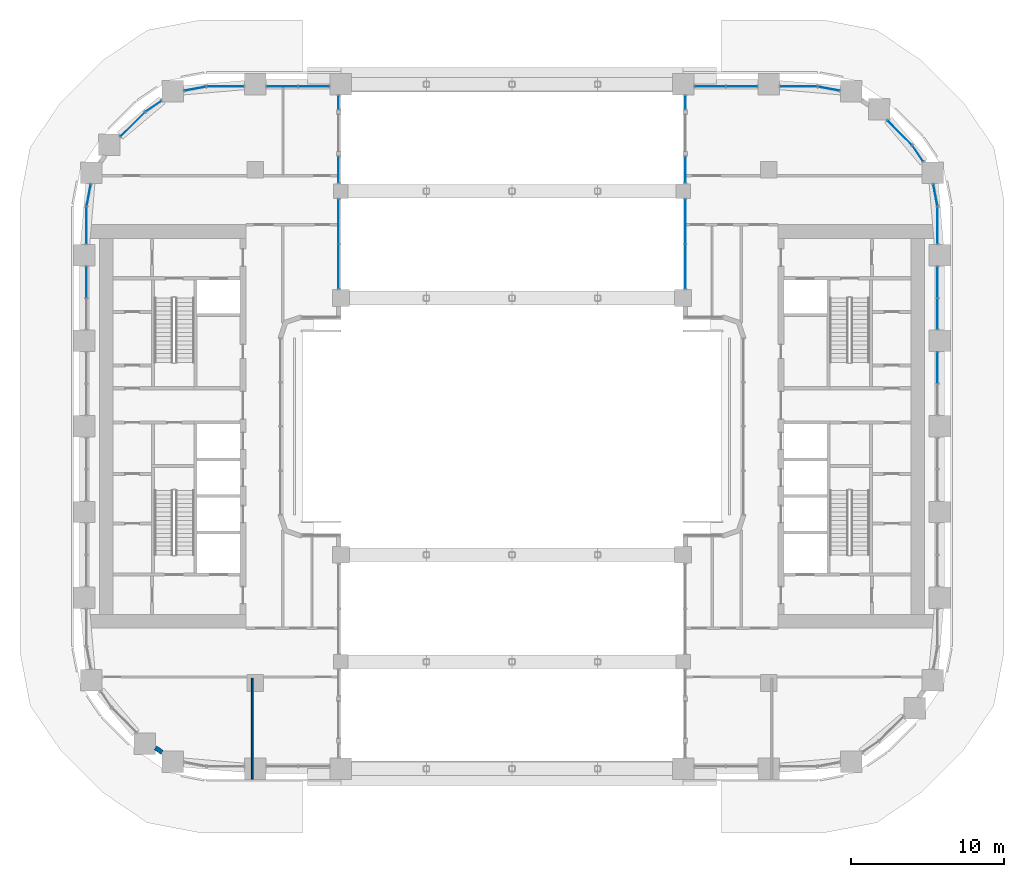
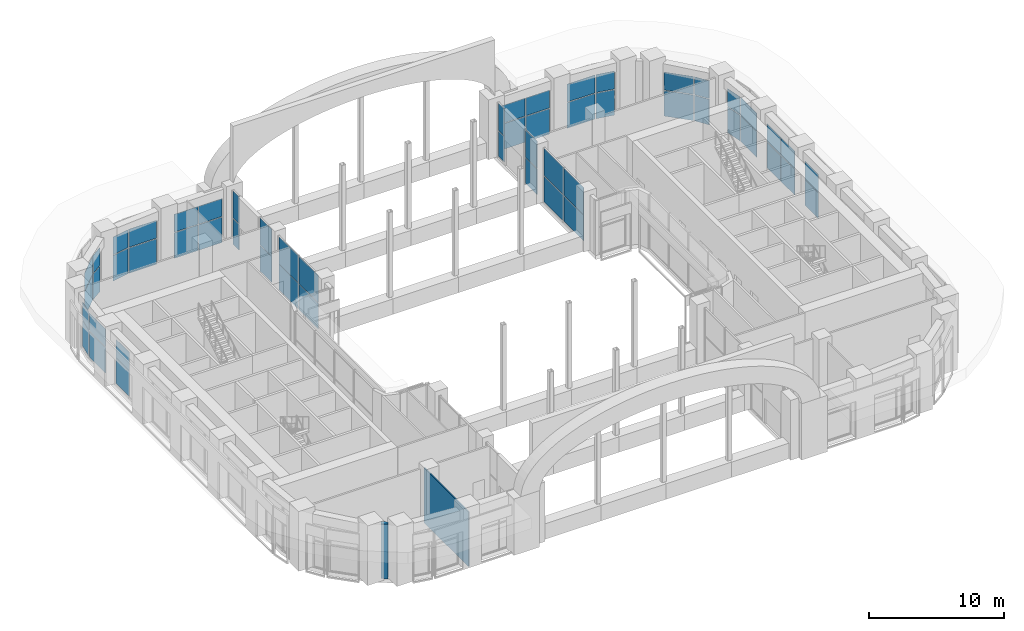
# One storey, part 13 of 27: 56 plates, 2 walls, 23 elements without a shape of their own.
"""IFC4 building model written with IfcOpenShell, lengths in metres."""

from ifc_helpers import new_model, si_unit, direction, frame, frame_2d, origin, origin_2d, place, context, subcontext, project, spatial, rectangle, extrude, material, layer, layer_set, type_object, element, aggregate, save


model = new_model("IFC4")

# Units and contexts
model_context = context("Model", 3, precision=1e-05, world=origin(), true_north=direction((0.0, 1.0)))
body_context = subcontext(model_context, "Body", "Model", "MODEL_VIEW")
ifc_project = project(units=[si_unit("LENGTHUNIT", "METRE"), si_unit("AREAUNIT", "SQUARE_METRE"), si_unit("VOLUMEUNIT", "CUBIC_METRE"), si_unit("PLANEANGLEUNIT", "RADIAN"), si_unit("MASSUNIT", "GRAM", prefix="KILO")], contexts=[model_context])

# Site, building, storey
site_placement = place(None, origin())
site = spatial("IfcSite", under=ifc_project, at=site_placement, CompositionType="ELEMENT")
building_placement = place(site_placement, origin())
building = spatial("IfcBuilding", under=site, at=building_placement, Name="Kiln Ring Residences", CompositionType="ELEMENT")
storey_placement = place(building_placement, frame((0.0, 0.0, 72.5)))
storey = spatial("IfcBuildingStorey", under=building, at=storey_placement, Name="L18", CompositionType="ELEMENT", Elevation=72.5)

# Curtain wall, plates
ifc_material_1 = material(Name="Aluminium and glass", Category="aluminium")
ifc_layer_1 = layer(ifc_material_1, 0.199951171875)
ifc_layer_set_1 = layer_set([ifc_layer_1], Name="CW1 CURTAIN WALL")
curtain_wall_type = type_object("IfcCurtainWallType", Name="CW1 CURTAIN WALL", PredefinedType="NOTDEFINED", material=ifc_layer_set_1)
placement = place(storey_placement, origin())
curtain_wall_1 = element("IfcCurtainWall", 1, at=placement, inside=storey, type_object=curtain_wall_type, Name="Curtain wall CW1 L18", PredefinedType="NOTDEFINED")
ifc_material_2 = material(Name="Glass, low-e laminated", Category="glass")
ifc_layer_2 = layer(ifc_material_2, 0.028076171875)
ifc_layer_set_2 = layer_set([ifc_layer_2], Name="CW1 PANEL 28")
plate_type = type_object("IfcPlateType", Name="CW1 PANEL 28", PredefinedType="CURTAIN_PANEL", material=ifc_layer_set_2)
plate_1_placement = place(storey_placement, frame((-11.35009765625, 10.458740234375, 0.06005859375), z_axis=(0.0, 0.0, 1.0), x_axis=(0.0, 1.0, 0.0)))
plate_1 = element("IfcPlate", 2, at=plate_1_placement, type_object=plate_type, Name="CW1 panel 1.1", PredefinedType="CURTAIN_PANEL", context=body_context, shape_type="SweptSolid", body=[
    extrude(rectangle(XDim=2.8974609375, YDim=0.028076171875, at=origin_2d()), origin(), (0.0, 0.0, 1.0), 2.31005859375),
])
plate_2_placement = place(storey_placement, frame((-11.35009765625, 10.458740234375, 2.429931640625), z_axis=(0.0, 0.0, 1.0), x_axis=(0.0, 1.0, 0.0)))
plate_2 = element("IfcPlate", 3, at=plate_2_placement, type_object=plate_type, Name="CW1 panel 1.2", PredefinedType="CURTAIN_PANEL", context=body_context, shape_type="SweptSolid", body=[
    extrude(rectangle(XDim=2.8974609375, YDim=0.028076171875, at=origin_2d()), origin(), (0.0, 0.0, 1.0), 2.4599609375),
])
plate_3_placement = place(storey_placement, frame((-11.35009765625, 13.416259765625, 0.06005859375), z_axis=(0.0, 0.0, 1.0), x_axis=(0.0, 1.0, 0.0)))
plate_3 = element("IfcPlate", 4, at=plate_3_placement, type_object=plate_type, Name="CW1 panel 2.1", PredefinedType="CURTAIN_PANEL", context=body_context, shape_type="SweptSolid", body=[
    extrude(rectangle(XDim=2.8974609375, YDim=0.028076171875, at=origin_2d()), origin(), (0.0, 0.0, 1.0), 2.31005859375),
])
plate_4_placement = place(storey_placement, frame((-11.35009765625, 13.416259765625, 2.429931640625), z_axis=(0.0, 0.0, 1.0), x_axis=(0.0, 1.0, 0.0)))
plate_4 = element("IfcPlate", 5, at=plate_4_placement, type_object=plate_type, Name="CW1 panel 2.2", PredefinedType="CURTAIN_PANEL", context=body_context, shape_type="SweptSolid", body=[
    extrude(rectangle(XDim=2.8974609375, YDim=0.028076171875, at=origin_2d()), origin(), (0.0, 0.0, 1.0), 2.4599609375),
])
aggregate(curtain_wall_1, [plate_1, plate_2, plate_3, plate_4])

curtain_wall_2 = element("IfcCurtainWall", 6, at=placement, inside=storey, type_object=curtain_wall_type, Name="Curtain wall CW1 L18", PredefinedType="NOTDEFINED")
plate_5_placement = place(storey_placement, frame((-11.35009765625, 16.78759765625, 0.06005859375), z_axis=(0.0, 0.0, 1.0), x_axis=(0.0, 1.0, 0.0)))
plate_5 = element("IfcPlate", 7, at=plate_5_placement, type_object=plate_type, Name="CW1 panel 1.1", PredefinedType="CURTAIN_PANEL", context=body_context, shape_type="SweptSolid", body=[
    extrude(rectangle(XDim=1.705078125, YDim=0.028076171875, at=origin_2d()), origin(), (0.0, 0.0, 1.0), 2.31005859375),
])
plate_6_placement = place(storey_placement, frame((-11.35009765625, 16.78759765625, 2.429931640625), z_axis=(0.0, 0.0, 1.0), x_axis=(0.0, 1.0, 0.0)))
plate_6 = element("IfcPlate", 8, at=plate_6_placement, type_object=plate_type, Name="CW1 panel 1.2", PredefinedType="CURTAIN_PANEL", context=body_context, shape_type="SweptSolid", body=[
    extrude(rectangle(XDim=1.705078125, YDim=0.028076171875, at=origin_2d()), origin(), (0.0, 0.0, 1.0), 2.4599609375),
])
aggregate(curtain_wall_2, [plate_5, plate_6])

curtain_wall_3 = element("IfcCurtainWall", 9, at=placement, inside=storey, type_object=curtain_wall_type, Name="Curtain wall CW1 L18", PredefinedType="NOTDEFINED")
plate_7_placement = place(storey_placement, frame((-11.35009765625, 21.199951171875, 0.06005859375), z_axis=(0.0, 0.0, 1.0), x_axis=(0.0, 1.0, 0.0)))
plate_7 = element("IfcPlate", 10, at=plate_7_placement, type_object=plate_type, Name="CW1 panel 1.1", PredefinedType="CURTAIN_PANEL", context=body_context, shape_type="SweptSolid", body=[
    extrude(rectangle(XDim=0.8798828125, YDim=0.028076171875, at=origin_2d()), origin(), (0.0, 0.0, 1.0), 2.31005859375),
])
plate_8_placement = place(storey_placement, frame((-11.35009765625, 21.199951171875, 2.429931640625), z_axis=(0.0, 0.0, 1.0), x_axis=(0.0, 1.0, 0.0)))
plate_8 = element("IfcPlate", 11, at=plate_8_placement, type_object=plate_type, Name="CW1 panel 1.2", PredefinedType="CURTAIN_PANEL", context=body_context, shape_type="SweptSolid", body=[
    extrude(rectangle(XDim=0.8798828125, YDim=0.028076171875, at=origin_2d()), origin(), (0.0, 0.0, 1.0), 2.4599609375),
])
aggregate(curtain_wall_3, [plate_7, plate_8])

curtain_wall_4 = element("IfcCurtainWall", 12, at=placement, inside=storey, type_object=curtain_wall_type, Name="Curtain wall CW1 L18", PredefinedType="NOTDEFINED")
plate_9_placement = place(storey_placement, frame((-12.965087890625, 22.25, 0.06005859375), z_axis=(0.0, 0.0, 1.0), x_axis=(-1.0, 0.0, 0.0)))
plate_9 = element("IfcPlate", 13, at=plate_9_placement, type_object=plate_type, Name="CW1 panel 1.1", PredefinedType="CURTAIN_PANEL", context=body_context, shape_type="SweptSolid", body=[
    extrude(rectangle(XDim=2.010009765625, YDim=0.028076171875, at=origin_2d()), origin(), (0.0, 0.0, 1.0), 2.31005859375),
])
plate_10_placement = place(storey_placement, frame((-12.965087890625, 22.25, 2.43017578125), z_axis=(0.0, 0.0, 1.0), x_axis=(-1.0, 0.0, 0.0)))
plate_10 = element("IfcPlate", 14, at=plate_10_placement, type_object=plate_type, Name="CW1 panel 1.2", PredefinedType="CURTAIN_PANEL", context=body_context, shape_type="SweptSolid", body=[
    extrude(rectangle(XDim=2.010009765625, YDim=0.028076171875, at=origin_2d()), origin(), (0.0, 0.0, 1.0), 1.610107421875),
])
plate_11_placement = place(storey_placement, frame((-15.034912109375, 22.25, 0.06005859375), z_axis=(0.0, 0.0, 1.0), x_axis=(-1.0, 0.0, 0.0)))
plate_11 = element("IfcPlate", 15, at=plate_11_placement, type_object=plate_type, Name="CW1 panel 2.1", PredefinedType="CURTAIN_PANEL", context=body_context, shape_type="SweptSolid", body=[
    extrude(rectangle(XDim=2.010009765625, YDim=0.028076171875, at=origin_2d()), origin(), (0.0, 0.0, 1.0), 2.31005859375),
])
plate_12_placement = place(storey_placement, frame((-15.034912109375, 22.25, 2.43017578125), z_axis=(0.0, 0.0, 1.0), x_axis=(-1.0, 0.0, 0.0)))
plate_12 = element("IfcPlate", 16, at=plate_12_placement, type_object=plate_type, Name="CW1 panel 2.2", PredefinedType="CURTAIN_PANEL", context=body_context, shape_type="SweptSolid", body=[
    extrude(rectangle(XDim=2.010009765625, YDim=0.028076171875, at=origin_2d()), origin(), (0.0, 0.0, 1.0), 1.610107421875),
])
aggregate(curtain_wall_4, [plate_9, plate_10, plate_11, plate_12])

curtain_wall_5 = element("IfcCurtainWall", 17, at=placement, inside=storey, type_object=curtain_wall_type, Name="Curtain wall CW1 L18", PredefinedType="NOTDEFINED")
plate_13_placement = place(storey_placement, frame((-18.75, 22.25, 0.06005859375), z_axis=(0.0, 0.0, 1.0), x_axis=(-1.0, 0.0, 0.0)))
plate_13 = element("IfcPlate", 18, at=plate_13_placement, type_object=plate_type, Name="CW1 panel 1.1", PredefinedType="CURTAIN_PANEL", context=body_context, shape_type="SweptSolid", body=[
    extrude(rectangle(XDim=2.3798828125, YDim=0.028076171875, at=origin_2d()), origin(), (0.0, 0.0, 1.0), 2.31005859375),
])
plate_14_placement = place(storey_placement, frame((-18.75, 22.25, 2.43017578125), z_axis=(0.0, 0.0, 1.0), x_axis=(-1.0, 0.0, 0.0)))
plate_14 = element("IfcPlate", 19, at=plate_14_placement, type_object=plate_type, Name="CW1 panel 1.2", PredefinedType="CURTAIN_PANEL", context=body_context, shape_type="SweptSolid", body=[
    extrude(rectangle(XDim=2.3798828125, YDim=0.028076171875, at=origin_2d()), origin(), (0.0, 0.0, 1.0), 1.610107421875),
])
aggregate(curtain_wall_5, [plate_13, plate_14])

curtain_wall_6 = element("IfcCurtainWall", 20, at=placement, inside=storey, type_object=curtain_wall_type, Name="Curtain wall CW1 L18", PredefinedType="NOTDEFINED")
plate_15_placement = place(storey_placement, frame((-20.736083984375, 22.10693359375, 0.06005859375), z_axis=(0.0, 0.0, 1.0), x_axis=(-0.982290257793, -0.187365550313, 0.0)))
plate_15 = element("IfcPlate", 21, at=plate_15_placement, type_object=plate_type, Name="CW1 panel 1.1", PredefinedType="CURTAIN_PANEL", context=body_context, shape_type="SweptSolid", body=[
    extrude(rectangle(XDim=1.43603515625, YDim=0.028076171875, at=origin_2d()), origin(), (0.0, 0.0, 1.0), 2.31005859375),
])
plate_16_placement = place(storey_placement, frame((-20.736083984375, 22.10693359375, 2.43017578125), z_axis=(0.0, 0.0, 1.0), x_axis=(-0.982290257793, -0.187365550313, 0.0)))
plate_16 = element("IfcPlate", 22, at=plate_16_placement, type_object=plate_type, Name="CW1 panel 1.2", PredefinedType="CURTAIN_PANEL", context=body_context, shape_type="SweptSolid", body=[
    extrude(rectangle(XDim=1.43603515625, YDim=0.028076171875, at=origin_2d()), origin(), (0.0, 0.0, 1.0), 1.610107421875),
])
aggregate(curtain_wall_6, [plate_15, plate_16])

curtain_wall_7 = element("IfcCurtainWall", 23, at=placement, inside=storey, type_object=curtain_wall_type, Name="Curtain wall CW1 L18", PredefinedType="NOTDEFINED")
plate_17_placement = place(storey_placement, frame((-23.460693359375, 20.9541015625, 0.06005859375), z_axis=(0.0, 0.0, 1.0), x_axis=(-0.827071553439, -0.56209665138, 0.0)))
plate_17 = element("IfcPlate", 24, at=plate_17_placement, type_object=plate_type, Name="CW1 panel 1.1", PredefinedType="CURTAIN_PANEL", context=body_context, shape_type="SweptSolid", body=[
    extrude(rectangle(XDim=1.21484375, YDim=0.028076171875, at=origin_2d()), origin(), (0.0, 0.0, 1.0), 2.31005859375),
])
plate_18_placement = place(storey_placement, frame((-23.460693359375, 20.9541015625, 2.43017578125), z_axis=(0.0, 0.0, 1.0), x_axis=(-0.827071553439, -0.56209665138, 0.0)))
plate_18 = element("IfcPlate", 25, at=plate_18_placement, type_object=plate_type, Name="CW1 panel 1.2", PredefinedType="CURTAIN_PANEL", context=body_context, shape_type="SweptSolid", body=[
    extrude(rectangle(XDim=1.21484375, YDim=0.028076171875, at=origin_2d()), origin(), (0.0, 0.0, 1.0), 1.610107421875),
])
aggregate(curtain_wall_7, [plate_17, plate_18])

curtain_wall_8 = element("IfcCurtainWall", 26, at=placement, inside=storey, type_object=curtain_wall_type, Name="Curtain wall CW1 L18", PredefinedType="NOTDEFINED")
plate_19_placement = place(storey_placement, frame((-24.825439453125, 19.762451171875, 0.06005859375), z_axis=(0.0, 0.0, 1.0), x_axis=(-0.707106781187, -0.707106781187, 0.0)))
plate_19 = element("IfcPlate", 27, at=plate_19_placement, type_object=plate_type, Name="CW1 panel 1.1", PredefinedType="CURTAIN_PANEL", context=body_context, shape_type="SweptSolid", body=[
    extrude(rectangle(XDim=2.239990234375, YDim=0.028076171875, at=origin_2d()), origin(), (0.0, 0.0, 1.0), 2.31005859375),
])
plate_20_placement = place(storey_placement, frame((-24.825439453125, 19.762451171875, 2.43017578125), z_axis=(0.0, 0.0, 1.0), x_axis=(-0.707106781187, -0.707106781187, 0.0)))
plate_20 = element("IfcPlate", 28, at=plate_20_placement, type_object=plate_type, Name="CW1 panel 1.2", PredefinedType="CURTAIN_PANEL", context=body_context, shape_type="SweptSolid", body=[
    extrude(rectangle(XDim=2.239990234375, YDim=0.028076171875, at=origin_2d()), origin(), (0.0, 0.0, 1.0), 1.610107421875),
])
aggregate(curtain_wall_8, [plate_19, plate_20])

curtain_wall_9 = element("IfcCurtainWall", 29, at=placement, inside=storey, type_object=curtain_wall_type, Name="Curtain wall CW1 L18", PredefinedType="NOTDEFINED")
plate_21_placement = place(storey_placement, frame((-27.706787109375, 15.13623046875, 0.06005859375), z_axis=(0.0, 0.0, 1.0), x_axis=(-0.187365550313, -0.982290257793, 0.0)))
plate_21 = element("IfcPlate", 30, at=plate_21_placement, type_object=plate_type, Name="CW1 panel 1.1", PredefinedType="CURTAIN_PANEL", context=body_context, shape_type="SweptSolid", body=[
    extrude(rectangle(XDim=1.43603515625, YDim=0.028076171875, at=origin_2d()), origin(), (0.0, 0.0, 1.0), 2.31005859375),
])
plate_22_placement = place(storey_placement, frame((-27.706787109375, 15.13623046875, 2.43017578125), z_axis=(0.0, 0.0, 1.0), x_axis=(-0.187365550313, -0.982290257793, 0.0)))
plate_22 = element("IfcPlate", 31, at=plate_22_placement, type_object=plate_type, Name="CW1 panel 1.2", PredefinedType="CURTAIN_PANEL", context=body_context, shape_type="SweptSolid", body=[
    extrude(rectangle(XDim=1.43603515625, YDim=0.028076171875, at=origin_2d()), origin(), (0.0, 0.0, 1.0), 1.610107421875),
])
aggregate(curtain_wall_9, [plate_21, plate_22])

curtain_wall_10 = element("IfcCurtainWall", 32, at=placement, inside=storey, type_object=curtain_wall_type, Name="Curtain wall CW1 L18", PredefinedType="NOTDEFINED")
plate_23_placement = place(storey_placement, frame((-27.85009765625, 13.14990234375, 0.06005859375), z_axis=(0.0, 0.0, 1.0), x_axis=(0.0, -1.0, 0.0)))
plate_23 = element("IfcPlate", 33, at=plate_23_placement, type_object=plate_type, Name="CW1 panel 1.1", PredefinedType="CURTAIN_PANEL", context=body_context, shape_type="SweptSolid", body=[
    extrude(rectangle(XDim=2.3798828125, YDim=0.028076171875, at=origin_2d()), origin(), (0.0, 0.0, 1.0), 2.31005859375),
])
plate_24_placement = place(storey_placement, frame((-27.85009765625, 13.14990234375, 2.43017578125), z_axis=(0.0, 0.0, 1.0), x_axis=(0.0, -1.0, 0.0)))
plate_24 = element("IfcPlate", 34, at=plate_24_placement, type_object=plate_type, Name="CW1 panel 1.2", PredefinedType="CURTAIN_PANEL", context=body_context, shape_type="SweptSolid", body=[
    extrude(rectangle(XDim=2.3798828125, YDim=0.028076171875, at=origin_2d()), origin(), (0.0, 0.0, 1.0), 1.610107421875),
])
aggregate(curtain_wall_10, [plate_23, plate_24])

curtain_wall_11 = element("IfcCurtainWall", 35, at=placement, inside=storey, type_object=curtain_wall_type, Name="Curtain wall CW1 L18", PredefinedType="NOTDEFINED")
plate_25_placement = place(storey_placement, frame((-27.85009765625, 9.43505859375, 0.06005859375), z_axis=(0.0, 0.0, 1.0), x_axis=(0.0, -1.0, 0.0)))
plate_25 = element("IfcPlate", 36, at=plate_25_placement, type_object=plate_type, Name="CW1 panel 1.1", PredefinedType="CURTAIN_PANEL", context=body_context, shape_type="SweptSolid", body=[
    extrude(rectangle(XDim=2.010009765625, YDim=0.028076171875, at=origin_2d()), origin(), (0.0, 0.0, 1.0), 2.31005859375),
])
plate_26_placement = place(storey_placement, frame((-27.85009765625, 9.43505859375, 2.43017578125), z_axis=(0.0, 0.0, 1.0), x_axis=(0.0, -1.0, 0.0)))
plate_26 = element("IfcPlate", 37, at=plate_26_placement, type_object=plate_type, Name="CW1 panel 1.2", PredefinedType="CURTAIN_PANEL", context=body_context, shape_type="SweptSolid", body=[
    extrude(rectangle(XDim=2.010009765625, YDim=0.028076171875, at=origin_2d()), origin(), (0.0, 0.0, 1.0), 1.610107421875),
])
aggregate(curtain_wall_11, [plate_25, plate_26])

curtain_wall_12 = element("IfcCurtainWall", 38, at=placement, inside=storey, type_object=curtain_wall_type, Name="Curtain wall CW1 L18", PredefinedType="NOTDEFINED")
plate_27_placement = place(storey_placement, frame((27.85009765625, 3.8349609375, 0.06005859375), z_axis=(0.0, 0.0, 1.0), x_axis=(0.0, 1.0, 0.0)))
plate_27 = element("IfcPlate", 39, at=plate_27_placement, type_object=plate_type, Name="CW1 panel 2.1", PredefinedType="CURTAIN_PANEL", context=body_context, shape_type="SweptSolid", body=[
    extrude(rectangle(XDim=2.010009765625, YDim=0.028076171875, at=origin_2d()), origin(), (0.0, 0.0, 1.0), 2.31005859375),
])
plate_28_placement = place(storey_placement, frame((27.85009765625, 3.8349609375, 2.43017578125), z_axis=(0.0, 0.0, 1.0), x_axis=(0.0, 1.0, 0.0)))
plate_28 = element("IfcPlate", 40, at=plate_28_placement, type_object=plate_type, Name="CW1 panel 2.2", PredefinedType="CURTAIN_PANEL", context=body_context, shape_type="SweptSolid", body=[
    extrude(rectangle(XDim=2.010009765625, YDim=0.028076171875, at=origin_2d()), origin(), (0.0, 0.0, 1.0), 1.610107421875),
])
aggregate(curtain_wall_12, [plate_27, plate_28])

curtain_wall_13 = element("IfcCurtainWall", 41, at=placement, inside=storey, type_object=curtain_wall_type, Name="Curtain wall CW1 L18", PredefinedType="NOTDEFINED")
plate_29_placement = place(storey_placement, frame((27.85009765625, 7.364990234375, 0.06005859375), z_axis=(0.0, 0.0, 1.0), x_axis=(0.0, 1.0, 0.0)))
plate_29 = element("IfcPlate", 42, at=plate_29_placement, type_object=plate_type, Name="CW1 panel 1.1", PredefinedType="CURTAIN_PANEL", context=body_context, shape_type="SweptSolid", body=[
    extrude(rectangle(XDim=2.010009765625, YDim=0.028076171875, at=origin_2d()), origin(), (0.0, 0.0, 1.0), 2.31005859375),
])
plate_30_placement = place(storey_placement, frame((27.85009765625, 7.364990234375, 2.43017578125), z_axis=(0.0, 0.0, 1.0), x_axis=(0.0, 1.0, 0.0)))
plate_30 = element("IfcPlate", 43, at=plate_30_placement, type_object=plate_type, Name="CW1 panel 1.2", PredefinedType="CURTAIN_PANEL", context=body_context, shape_type="SweptSolid", body=[
    extrude(rectangle(XDim=2.010009765625, YDim=0.028076171875, at=origin_2d()), origin(), (0.0, 0.0, 1.0), 1.610107421875),
])
plate_31_placement = place(storey_placement, frame((27.85009765625, 9.43505859375, 0.06005859375), z_axis=(0.0, 0.0, 1.0), x_axis=(0.0, 1.0, 0.0)))
plate_31 = element("IfcPlate", 44, at=plate_31_placement, type_object=plate_type, Name="CW1 panel 2.1", PredefinedType="CURTAIN_PANEL", context=body_context, shape_type="SweptSolid", body=[
    extrude(rectangle(XDim=2.010009765625, YDim=0.028076171875, at=origin_2d()), origin(), (0.0, 0.0, 1.0), 2.31005859375),
])
plate_32_placement = place(storey_placement, frame((27.85009765625, 9.43505859375, 2.43017578125), z_axis=(0.0, 0.0, 1.0), x_axis=(0.0, 1.0, 0.0)))
plate_32 = element("IfcPlate", 45, at=plate_32_placement, type_object=plate_type, Name="CW1 panel 2.2", PredefinedType="CURTAIN_PANEL", context=body_context, shape_type="SweptSolid", body=[
    extrude(rectangle(XDim=2.010009765625, YDim=0.028076171875, at=origin_2d()), origin(), (0.0, 0.0, 1.0), 1.610107421875),
])
aggregate(curtain_wall_13, [plate_29, plate_30, plate_31, plate_32])

curtain_wall_14 = element("IfcCurtainWall", 46, at=placement, inside=storey, type_object=curtain_wall_type, Name="Curtain wall CW1 L18", PredefinedType="NOTDEFINED")
plate_33_placement = place(storey_placement, frame((27.85009765625, 13.14990234375, 0.06005859375), z_axis=(0.0, 0.0, 1.0), x_axis=(0.0, 1.0, 0.0)))
plate_33 = element("IfcPlate", 47, at=plate_33_placement, type_object=plate_type, Name="CW1 panel 1.1", PredefinedType="CURTAIN_PANEL", context=body_context, shape_type="SweptSolid", body=[
    extrude(rectangle(XDim=2.3798828125, YDim=0.028076171875, at=origin_2d()), origin(), (0.0, 0.0, 1.0), 2.31005859375),
])
plate_34_placement = place(storey_placement, frame((27.85009765625, 13.14990234375, 2.43017578125), z_axis=(0.0, 0.0, 1.0), x_axis=(0.0, 1.0, 0.0)))
plate_34 = element("IfcPlate", 48, at=plate_34_placement, type_object=plate_type, Name="CW1 panel 1.2", PredefinedType="CURTAIN_PANEL", context=body_context, shape_type="SweptSolid", body=[
    extrude(rectangle(XDim=2.3798828125, YDim=0.028076171875, at=origin_2d()), origin(), (0.0, 0.0, 1.0), 1.610107421875),
])
aggregate(curtain_wall_14, [plate_33, plate_34])

curtain_wall_15 = element("IfcCurtainWall", 49, at=placement, inside=storey, type_object=curtain_wall_type, Name="Curtain wall CW1 L18", PredefinedType="NOTDEFINED")
plate_35_placement = place(storey_placement, frame((27.706787109375, 15.13623046875, 0.06005859375), z_axis=(0.0, 0.0, 1.0), x_axis=(-0.187365550313, 0.982290257793, 0.0)))
plate_35 = element("IfcPlate", 50, at=plate_35_placement, type_object=plate_type, Name="CW1 panel 1.1", PredefinedType="CURTAIN_PANEL", context=body_context, shape_type="SweptSolid", body=[
    extrude(rectangle(XDim=1.43603515625, YDim=0.028076171875, at=origin_2d()), origin(), (0.0, 0.0, 1.0), 2.31005859375),
])
plate_36_placement = place(storey_placement, frame((27.706787109375, 15.13623046875, 2.43017578125), z_axis=(0.0, 0.0, 1.0), x_axis=(-0.187365550313, 0.982290257793, 0.0)))
plate_36 = element("IfcPlate", 51, at=plate_36_placement, type_object=plate_type, Name="CW1 panel 1.2", PredefinedType="CURTAIN_PANEL", context=body_context, shape_type="SweptSolid", body=[
    extrude(rectangle(XDim=1.43603515625, YDim=0.028076171875, at=origin_2d()), origin(), (0.0, 0.0, 1.0), 1.610107421875),
])
aggregate(curtain_wall_15, [plate_35, plate_36])

curtain_wall_16 = element("IfcCurtainWall", 52, at=placement, inside=storey, type_object=curtain_wall_type, Name="Curtain wall CW1 L18", PredefinedType="NOTDEFINED")
plate_37_placement = place(storey_placement, frame((26.553955078125, 17.86083984375, 0.06005859375), z_axis=(0.0, 0.0, 1.0), x_axis=(-0.56209665138, 0.827071553439, 0.0)))
plate_37 = element("IfcPlate", 53, at=plate_37_placement, type_object=plate_type, Name="CW1 panel 1.1", PredefinedType="CURTAIN_PANEL", context=body_context, shape_type="SweptSolid", body=[
    extrude(rectangle(XDim=1.21484375, YDim=0.028076171875, at=origin_2d()), origin(), (0.0, 0.0, 1.0), 2.31005859375),
])
plate_38_placement = place(storey_placement, frame((26.553955078125, 17.86083984375, 2.43017578125), z_axis=(0.0, 0.0, 1.0), x_axis=(-0.56209665138, 0.827071553439, 0.0)))
plate_38 = element("IfcPlate", 54, at=plate_38_placement, type_object=plate_type, Name="CW1 panel 1.2", PredefinedType="CURTAIN_PANEL", context=body_context, shape_type="SweptSolid", body=[
    extrude(rectangle(XDim=1.21484375, YDim=0.028076171875, at=origin_2d()), origin(), (0.0, 0.0, 1.0), 1.610107421875),
])
aggregate(curtain_wall_16, [plate_37, plate_38])

curtain_wall_17 = element("IfcCurtainWall", 55, at=placement, inside=storey, type_object=curtain_wall_type, Name="Curtain wall CW1 L18", PredefinedType="NOTDEFINED")
plate_39_placement = place(storey_placement, frame((25.362548828125, 19.225341796875, 0.06005859375), z_axis=(0.0, 0.0, 1.0), x_axis=(-0.707106781187, 0.707106781187, 0.0)))
plate_39 = element("IfcPlate", 56, at=plate_39_placement, type_object=plate_type, Name="CW1 panel 1.1", PredefinedType="CURTAIN_PANEL", context=body_context, shape_type="SweptSolid", body=[
    extrude(rectangle(XDim=2.239990234375, YDim=0.028076171875, at=origin_2d()), origin(), (0.0, 0.0, 1.0), 2.31005859375),
])
plate_40_placement = place(storey_placement, frame((25.362548828125, 19.225341796875, 2.43017578125), z_axis=(0.0, 0.0, 1.0), x_axis=(-0.707106781187, 0.707106781187, 0.0)))
plate_40 = element("IfcPlate", 57, at=plate_40_placement, type_object=plate_type, Name="CW1 panel 1.2", PredefinedType="CURTAIN_PANEL", context=body_context, shape_type="SweptSolid", body=[
    extrude(rectangle(XDim=2.239990234375, YDim=0.028076171875, at=origin_2d()), origin(), (0.0, 0.0, 1.0), 1.610107421875),
])
aggregate(curtain_wall_17, [plate_39, plate_40])

curtain_wall_18 = element("IfcCurtainWall", 58, at=placement, inside=storey, type_object=curtain_wall_type, Name="Curtain wall CW1 L18", PredefinedType="NOTDEFINED")
plate_41_placement = place(storey_placement, frame((20.736083984375, 22.10693359375, 0.06005859375), z_axis=(0.0, 0.0, 1.0), x_axis=(-0.982290257793, 0.187365550313, 0.0)))
plate_41 = element("IfcPlate", 59, at=plate_41_placement, type_object=plate_type, Name="CW1 panel 1.1", PredefinedType="CURTAIN_PANEL", context=body_context, shape_type="SweptSolid", body=[
    extrude(rectangle(XDim=1.43603515625, YDim=0.028076171875, at=origin_2d()), origin(), (0.0, 0.0, 1.0), 2.31005859375),
])
plate_42_placement = place(storey_placement, frame((20.736083984375, 22.10693359375, 2.43017578125), z_axis=(0.0, 0.0, 1.0), x_axis=(-0.982290257793, 0.187365550313, 0.0)))
plate_42 = element("IfcPlate", 60, at=plate_42_placement, type_object=plate_type, Name="CW1 panel 1.2", PredefinedType="CURTAIN_PANEL", context=body_context, shape_type="SweptSolid", body=[
    extrude(rectangle(XDim=1.43603515625, YDim=0.028076171875, at=origin_2d()), origin(), (0.0, 0.0, 1.0), 1.610107421875),
])
aggregate(curtain_wall_18, [plate_41, plate_42])

curtain_wall_19 = element("IfcCurtainWall", 61, at=placement, inside=storey, type_object=curtain_wall_type, Name="Curtain wall CW1 L18", PredefinedType="NOTDEFINED")
plate_43_placement = place(storey_placement, frame((18.75, 22.25, 0.06005859375), z_axis=(0.0, 0.0, 1.0), x_axis=(-1.0, 0.0, 0.0)))
plate_43 = element("IfcPlate", 62, at=plate_43_placement, type_object=plate_type, Name="CW1 panel 1.1", PredefinedType="CURTAIN_PANEL", context=body_context, shape_type="SweptSolid", body=[
    extrude(rectangle(XDim=2.3798828125, YDim=0.028076171875, at=origin_2d()), origin(), (0.0, 0.0, 1.0), 2.31005859375),
])
plate_44_placement = place(storey_placement, frame((18.75, 22.25, 2.43017578125), z_axis=(0.0, 0.0, 1.0), x_axis=(-1.0, 0.0, 0.0)))
plate_44 = element("IfcPlate", 63, at=plate_44_placement, type_object=plate_type, Name="CW1 panel 1.2", PredefinedType="CURTAIN_PANEL", context=body_context, shape_type="SweptSolid", body=[
    extrude(rectangle(XDim=2.3798828125, YDim=0.028076171875, at=origin_2d()), origin(), (0.0, 0.0, 1.0), 1.610107421875),
])
aggregate(curtain_wall_19, [plate_43, plate_44])

curtain_wall_20 = element("IfcCurtainWall", 64, at=placement, inside=storey, type_object=curtain_wall_type, Name="Curtain wall CW1 L18", PredefinedType="NOTDEFINED")
plate_45_placement = place(storey_placement, frame((15.034912109375, 22.25, 0.06005859375), z_axis=(0.0, 0.0, 1.0), x_axis=(-1.0, 0.0, 0.0)))
plate_45 = element("IfcPlate", 65, at=plate_45_placement, type_object=plate_type, Name="CW1 panel 1.1", PredefinedType="CURTAIN_PANEL", context=body_context, shape_type="SweptSolid", body=[
    extrude(rectangle(XDim=2.010009765625, YDim=0.028076171875, at=origin_2d()), origin(), (0.0, 0.0, 1.0), 2.31005859375),
])
plate_46_placement = place(storey_placement, frame((15.034912109375, 22.25, 2.43017578125), z_axis=(0.0, 0.0, 1.0), x_axis=(-1.0, 0.0, 0.0)))
plate_46 = element("IfcPlate", 66, at=plate_46_placement, type_object=plate_type, Name="CW1 panel 1.2", PredefinedType="CURTAIN_PANEL", context=body_context, shape_type="SweptSolid", body=[
    extrude(rectangle(XDim=2.010009765625, YDim=0.028076171875, at=origin_2d()), origin(), (0.0, 0.0, 1.0), 1.610107421875),
])
plate_47_placement = place(storey_placement, frame((12.965087890625, 22.25, 0.06005859375), z_axis=(0.0, 0.0, 1.0), x_axis=(-1.0, 0.0, 0.0)))
plate_47 = element("IfcPlate", 67, at=plate_47_placement, type_object=plate_type, Name="CW1 panel 2.1", PredefinedType="CURTAIN_PANEL", context=body_context, shape_type="SweptSolid", body=[
    extrude(rectangle(XDim=2.010009765625, YDim=0.028076171875, at=origin_2d()), origin(), (0.0, 0.0, 1.0), 2.31005859375),
])
plate_48_placement = place(storey_placement, frame((12.965087890625, 22.25, 2.43017578125), z_axis=(0.0, 0.0, 1.0), x_axis=(-1.0, 0.0, 0.0)))
plate_48 = element("IfcPlate", 68, at=plate_48_placement, type_object=plate_type, Name="CW1 panel 2.2", PredefinedType="CURTAIN_PANEL", context=body_context, shape_type="SweptSolid", body=[
    extrude(rectangle(XDim=2.010009765625, YDim=0.028076171875, at=origin_2d()), origin(), (0.0, 0.0, 1.0), 1.610107421875),
])
aggregate(curtain_wall_20, [plate_45, plate_46, plate_47, plate_48])

curtain_wall_21 = element("IfcCurtainWall", 69, at=placement, inside=storey, type_object=curtain_wall_type, Name="Curtain wall CW1 L18", PredefinedType="NOTDEFINED")
plate_49_placement = place(storey_placement, frame((11.35009765625, 21.199951171875, 0.06005859375), z_axis=(0.0, 0.0, 1.0), x_axis=(0.0, -1.0, 0.0)))
plate_49 = element("IfcPlate", 70, at=plate_49_placement, type_object=plate_type, Name="CW1 panel 1.1", PredefinedType="CURTAIN_PANEL", context=body_context, shape_type="SweptSolid", body=[
    extrude(rectangle(XDim=0.8798828125, YDim=0.028076171875, at=origin_2d()), origin(), (0.0, 0.0, 1.0), 2.31005859375),
])
plate_50_placement = place(storey_placement, frame((11.35009765625, 21.199951171875, 2.429931640625), z_axis=(0.0, 0.0, 1.0), x_axis=(0.0, -1.0, 0.0)))
plate_50 = element("IfcPlate", 71, at=plate_50_placement, type_object=plate_type, Name="CW1 panel 1.2", PredefinedType="CURTAIN_PANEL", context=body_context, shape_type="SweptSolid", body=[
    extrude(rectangle(XDim=0.8798828125, YDim=0.028076171875, at=origin_2d()), origin(), (0.0, 0.0, 1.0), 2.4599609375),
])
aggregate(curtain_wall_21, [plate_49, plate_50])

curtain_wall_22 = element("IfcCurtainWall", 72, at=placement, inside=storey, type_object=curtain_wall_type, Name="Curtain wall CW1 L18", PredefinedType="NOTDEFINED")
plate_51_placement = place(storey_placement, frame((11.35009765625, 16.78759765625, 0.06005859375), z_axis=(0.0, 0.0, 1.0), x_axis=(0.0, -1.0, 0.0)))
plate_51 = element("IfcPlate", 73, at=plate_51_placement, type_object=plate_type, Name="CW1 panel 1.1", PredefinedType="CURTAIN_PANEL", context=body_context, shape_type="SweptSolid", body=[
    extrude(rectangle(XDim=1.705078125, YDim=0.028076171875, at=origin_2d()), origin(), (0.0, 0.0, 1.0), 2.31005859375),
])
plate_52_placement = place(storey_placement, frame((11.35009765625, 16.78759765625, 2.429931640625), z_axis=(0.0, 0.0, 1.0), x_axis=(0.0, -1.0, 0.0)))
plate_52 = element("IfcPlate", 74, at=plate_52_placement, type_object=plate_type, Name="CW1 panel 1.2", PredefinedType="CURTAIN_PANEL", context=body_context, shape_type="SweptSolid", body=[
    extrude(rectangle(XDim=1.705078125, YDim=0.028076171875, at=origin_2d()), origin(), (0.0, 0.0, 1.0), 2.4599609375),
])
aggregate(curtain_wall_22, [plate_51, plate_52])

curtain_wall_23 = element("IfcCurtainWall", 75, at=placement, inside=storey, type_object=curtain_wall_type, Name="Curtain wall CW1 L18", PredefinedType="NOTDEFINED")
plate_53_placement = place(storey_placement, frame((11.35009765625, 13.416259765625, 0.06005859375), z_axis=(0.0, 0.0, 1.0), x_axis=(0.0, -1.0, 0.0)))
plate_53 = element("IfcPlate", 76, at=plate_53_placement, type_object=plate_type, Name="CW1 panel 1.1", PredefinedType="CURTAIN_PANEL", context=body_context, shape_type="SweptSolid", body=[
    extrude(rectangle(XDim=2.8974609375, YDim=0.028076171875, at=origin_2d()), origin(), (0.0, 0.0, 1.0), 2.31005859375),
])
plate_54_placement = place(storey_placement, frame((11.35009765625, 13.416259765625, 2.429931640625), z_axis=(0.0, 0.0, 1.0), x_axis=(0.0, -1.0, 0.0)))
plate_54 = element("IfcPlate", 77, at=plate_54_placement, type_object=plate_type, Name="CW1 panel 1.2", PredefinedType="CURTAIN_PANEL", context=body_context, shape_type="SweptSolid", body=[
    extrude(rectangle(XDim=2.8974609375, YDim=0.028076171875, at=origin_2d()), origin(), (0.0, 0.0, 1.0), 2.4599609375),
])
plate_55_placement = place(storey_placement, frame((11.35009765625, 10.458740234375, 0.06005859375), z_axis=(0.0, 0.0, 1.0), x_axis=(0.0, -1.0, 0.0)))
plate_55 = element("IfcPlate", 78, at=plate_55_placement, type_object=plate_type, Name="CW1 panel 2.1", PredefinedType="CURTAIN_PANEL", context=body_context, shape_type="SweptSolid", body=[
    extrude(rectangle(XDim=2.8974609375, YDim=0.028076171875, at=origin_2d()), origin(), (0.0, 0.0, 1.0), 2.31005859375),
])
plate_56_placement = place(storey_placement, frame((11.35009765625, 10.458740234375, 2.429931640625), z_axis=(0.0, 0.0, 1.0), x_axis=(0.0, -1.0, 0.0)))
plate_56 = element("IfcPlate", 79, at=plate_56_placement, type_object=plate_type, Name="CW1 panel 2.2", PredefinedType="CURTAIN_PANEL", context=body_context, shape_type="SweptSolid", body=[
    extrude(rectangle(XDim=2.8974609375, YDim=0.028076171875, at=origin_2d()), origin(), (0.0, 0.0, 1.0), 2.4599609375),
])
aggregate(curtain_wall_23, [plate_53, plate_54, plate_55, plate_56])

# Walls
ifc_material_3 = material(Name="Brick masonry, dark clay brick", Category="masonry")
ifc_layer_3 = layer(ifc_material_3, 0.300048828125)
ifc_layer_set_3 = layer_set([ifc_layer_3], Name="EW-300 BRICK WALL")
wall_type_1 = type_object("IfcWallType", Name="EW-300 BRICK WALL", PredefinedType="SOLIDWALL", material=ifc_layer_set_3)
wall_1_placement = place(storey_placement, frame((-23.340087890625, -21.035888671875, 0.0), z_axis=(0.0, 0.0, 1.0), x_axis=(0.827048360589, -0.562130775929, 0.0)))
element("IfcWall", 80, at=wall_1_placement, inside=storey, type_object=wall_type_1, Name="Facade wall L18 5", PredefinedType="SOLIDWALL", context=body_context, shape_type="SweptSolid", body=[
    extrude(rectangle(XDim=0.521728515625, YDim=0.300048828125, at=frame_2d((0.2607421875, 0.0))), origin(), (0.0, 0.0, 1.0), 4.949951171875),
])
ifc_material_4 = material(Name="Gypsum board on steel studs", Category="steel")
ifc_layer_4 = layer(ifc_material_4, 0.10009765625)
ifc_layer_set_4 = layer_set([ifc_layer_4], Name="PARTITION-100")
wall_type_2 = type_object("IfcWallType", Name="PARTITION-100", PredefinedType="PARTITIONING", material=ifc_layer_set_4)
wall_2_placement = place(storey_placement, frame((-17.0, -23.080078125, 0.0), z_axis=(0.0, 0.0, 1.0), x_axis=(0.0, 1.0, 0.0)))
element("IfcWall", 81, at=wall_2_placement, inside=storey, type_object=wall_type_2, Name="Partition 008", PredefinedType="PARTITIONING", context=body_context, shape_type="SweptSolid", body=[
    extrude(rectangle(XDim=6.60498046875, YDim=0.10009765625, at=frame_2d((3.302490234375, 0.0))), origin(), (0.0, 0.0, 1.0), 4.949951171875),
])

save(model, "model.ifc")
